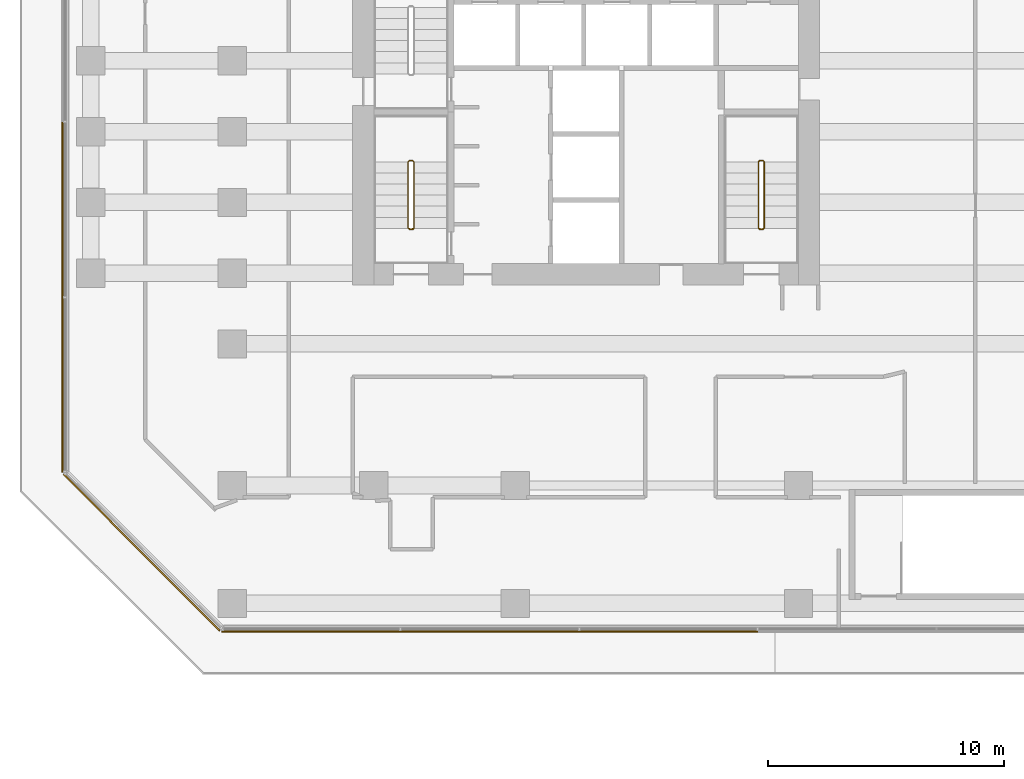
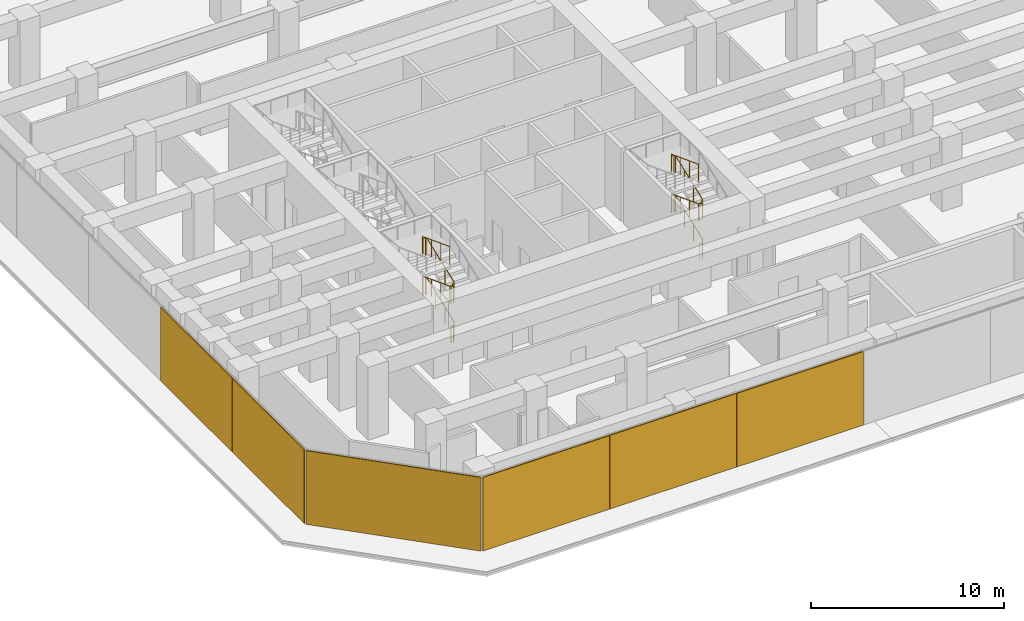
# One storey, part 35 of 40: 6 coverings, 2 railings.
"""IFC4 building model written with IfcOpenShell, lengths in metres."""

from ifc_helpers import new_model, si_unit, direction, frame, origin, origin_2d, place, context, subcontext, project, spatial, rectangle, circle, extrude, material, layer, layer_set, type_object, element, save


model = new_model("IFC4")

# Units and contexts
model_context = context("Model", 3, precision=1e-05, world=origin(), true_north=direction((0.0, 1.0)))
body_context = subcontext(model_context, "Body", "Model", "MODEL_VIEW")
ifc_project = project(units=[si_unit("LENGTHUNIT", "METRE"), si_unit("AREAUNIT", "SQUARE_METRE"), si_unit("VOLUMEUNIT", "CUBIC_METRE"), si_unit("PLANEANGLEUNIT", "RADIAN"), si_unit("MASSUNIT", "GRAM", prefix="KILO")], contexts=[model_context])

# Site, building, storey
site_placement = place(None, origin())
site = spatial("IfcSite", under=ifc_project, at=site_placement, CompositionType="ELEMENT")
building_placement = place(site_placement, origin())
building = spatial("IfcBuilding", under=site, at=building_placement, Name="Welwitschia Terrace Campus", CompositionType="ELEMENT")
storey_placement = place(building_placement, frame((0.0, 0.0, 6.0)))
storey = spatial("IfcBuildingStorey", under=building, at=storey_placement, Name="L01", CompositionType="ELEMENT", Elevation=6.0)

# Coverings
ifc_material_1 = material(Name="Bronze mesh aluminium screen", Category="aluminium")
ifc_layer = layer(ifc_material_1, 0.06005859375)
ifc_layer_set = layer_set([ifc_layer], Name="Bronze mesh aluminium screen")
covering_type = type_object("IfcCoveringType", Name="Bronze screen 60", PredefinedType="USERDEFINED", material=ifc_layer_set)
for number, where, z_axis, x_axis, name in (
    (1, (3.337890625, -10.18994140625, 0.0), (0.0, 0.0, 1.0), (1.0, 0.0, 0.0), "Screen L01.0.0"),
    (2, (10.912841796875, -10.18994140625, 0.0), (0.0, 0.0, 1.0), (1.0, 0.0, 0.0), "Screen L01.0.1"),
    (3, (18.48779296875, -10.18994140625, 0.0), (0.0, 0.0, 1.0), (1.0, 0.0, 0.0), "Screen L01.0.2"),
):
    element("IfcCovering", number, at=place(storey_placement, frame(where, z_axis=z_axis, x_axis=x_axis)), inside=storey, type_object=covering_type, Name=name, ObjectType="SCREEN", PredefinedType="USERDEFINED", context=body_context, shape_type="SweptSolid", body=[
        extrude(rectangle(XDim=7.554931640625, YDim=0.06005859375, at=origin_2d()), origin(), (0.0, 0.0, 1.0), 4.64990234375),
    ])
for number, where, z_axis, x_axis, name in (
    (4, (-7.18994140625, 7.700439453125, 0.0), (0.0, 0.0, 1.0), (0.0, -1.0, 0.0), "Screen L01.6.7"),
    (5, (-7.18994140625, 0.26708984375, 0.0), (0.0, 0.0, 1.0), (0.0, -1.0, 0.0), "Screen L01.6.8"),
):
    element("IfcCovering", number, at=place(storey_placement, frame(where, z_axis=z_axis, x_axis=x_axis)), inside=storey, type_object=covering_type, Name=name, ObjectType="SCREEN", PredefinedType="USERDEFINED", context=body_context, shape_type="SweptSolid", body=[
        extrude(rectangle(XDim=7.4130859375, YDim=0.06005859375, at=origin_2d()), origin(), (0.0, 0.0, 1.0), 4.64990234375),
    ])
covering_placement = place(storey_placement, frame((-3.841552734375, -6.841552734375, 0.0), z_axis=(0.0, 0.0, 1.0), x_axis=(0.707106781187, -0.707106781187, 0.0)))
element("IfcCovering", 6, at=covering_placement, inside=storey, type_object=covering_type, Name="Screen L01.7.0", ObjectType="SCREEN", PredefinedType="USERDEFINED", context=body_context, shape_type="SweptSolid", body=[
    extrude(rectangle(XDim=9.364013671875, YDim=0.06005859375, at=origin_2d()), origin(), (0.0, 0.0, 1.0), 4.64990234375),
])

# Railings
ifc_material_2 = material(Name="Steel S355", Category="steel")
railing_type = type_object("IfcRailingType", Name="Stair guard 1100", PredefinedType="GUARDRAIL", material=ifc_material_2)
railing_1_placement = place(storey_placement, frame((7.5, 6.85009765625, 0.0)))
element("IfcRailing", 7, at=railing_1_placement, inside=storey, type_object=railing_type, Name="L01 S1 stair guard", PredefinedType="GUARDRAIL", context=body_context, shape_type="SweptSolid", body=[
    extrude(circle(Radius=0.02392578125, at=origin_2d()), frame((0.0, 0.0, 1.076171875), z_axis=(1.0, 0.0, 0.0), x_axis=(0.0, 1.0, 0.0)), (0.0, 0.0, 1.0), 0.14990234375),
    extrude(circle(Radius=0.02392578125, at=origin_2d()), frame((0.14990234375, 0.0, 1.076171875), z_axis=(0.26077077684, 0.25949872427, 0.929870428634), x_axis=(-0.705375805398, 0.708833529934, 0.0)), (0.0, 0.0, 1.0), 0.19189453125),
    extrude(circle(Radius=0.02392578125, at=origin_2d()), frame((0.199951171875, 0.0498046875, 1.25439453125), z_axis=(0.0, 0.934793791609, 0.355190888354), x_axis=(-1.0, 0.0, 0.0)), (0.0, 0.0, 1.0), 3.016845703125),
    extrude(circle(Radius=0.02392578125, at=origin_2d()), frame((0.199951171875, 2.869873046875, 2.326171875), z_axis=(-0.707106781187, 0.707106781187, 0.0), x_axis=(-0.707106781187, -0.707106781187, 0.0)), (0.0, 0.0, 1.0), 0.07080078125),
    extrude(circle(Radius=0.02392578125, at=origin_2d()), frame((0.14990234375, 2.919921875, 2.326171875), z_axis=(-1.0, 0.0, 0.0), x_axis=(0.0, -1.0, 0.0)), (0.0, 0.0, 1.0), 0.14990234375),
    extrude(circle(Radius=0.02392578125, at=origin_2d()), frame((0.0, 2.919921875, 2.326171875), z_axis=(-0.260684529273, -0.260684529273, 0.929562882432), x_axis=(0.707106781187, -0.707106781187, 0.0)), (0.0, 0.0, 1.0), 0.19189453125),
    extrude(circle(Radius=0.02392578125, at=origin_2d()), frame((-0.050048828125, 2.869873046875, 2.50439453125), z_axis=(0.0, -0.934793791609, 0.355190888354), x_axis=(1.0, 0.0, 0.0)), (0.0, 0.0, 1.0), 3.016845703125),
    extrude(circle(Radius=0.02392578125, at=origin_2d()), frame((-0.050048828125, 0.0498046875, 3.576171875), z_axis=(0.970351222016, -0.241699205484, 0.0), x_axis=(0.241699205484, 0.970351222016, 0.0)), (0.0, 0.0, 1.0), 0.2060546875),
    extrude(circle(Radius=0.02392578125, at=origin_2d()), frame((0.14990234375, 0.0, 3.576171875), z_axis=(-1.0, 0.0, 0.0), x_axis=(0.0, -1.0, 0.0)), (0.0, 0.0, 1.0), 0.14990234375),
    extrude(circle(Radius=0.02392578125, at=origin_2d()), frame((0.0, 0.0, 3.576171875), z_axis=(0.733493557026, 0.18270169186, 0.654681062498), x_axis=(-0.241699205484, 0.970351222016, 0.0)), (0.0, 0.0, 1.0), 0.272705078125),
    extrude(circle(Radius=0.02392578125, at=origin_2d()), frame((0.199951171875, 0.0498046875, 3.75439453125), z_axis=(0.0, 0.934793791609, 0.355190888354), x_axis=(-1.0, 0.0, 0.0)), (0.0, 0.0, 1.0), 3.016845703125),
    extrude(circle(Radius=0.02392578125, at=origin_2d()), frame((0.199951171875, 2.869873046875, 4.826171875), z_axis=(-0.707106781187, 0.707106781187, 0.0), x_axis=(-0.707106781187, -0.707106781187, 0.0)), (0.0, 0.0, 1.0), 0.07080078125),
    extrude(circle(Radius=0.02392578125, at=origin_2d()), frame((0.14990234375, 2.919921875, 4.826171875), z_axis=(-1.0, 0.0, 0.0), x_axis=(0.0, -1.0, 0.0)), (0.0, 0.0, 1.0), 0.14990234375),
    extrude(circle(Radius=0.02392578125, at=origin_2d()), frame((0.0, 2.919921875, 4.826171875), z_axis=(-0.260684529273, -0.260684529273, 0.929562882432), x_axis=(0.707106781187, -0.707106781187, 0.0)), (0.0, 0.0, 1.0), 0.19189453125),
    extrude(circle(Radius=0.02392578125, at=origin_2d()), frame((-0.050048828125, 2.869873046875, 5.00439453125), z_axis=(0.0, -0.934793791609, 0.355190888354), x_axis=(1.0, 0.0, 0.0)), (0.0, 0.0, 1.0), 3.016845703125),
    extrude(circle(Radius=0.02099609375, at=origin_2d()), origin(), (0.0, 0.0, 1.0), 1.052001953125),
    extrude(circle(Radius=0.02099609375, at=origin_2d()), frame((0.14990234375, 0.0, 0.0)), (0.0, 0.0, 1.0), 1.052001953125),
    extrude(circle(Radius=0.02099609375, at=origin_2d()), frame((0.199951171875, 0.0498046875, 0.178466796875)), (0.0, 0.0, 1.0), 1.052001953125),
    extrude(circle(Radius=0.02099609375, at=origin_2d()), frame((0.199951171875, 0.98974609375, 0.53564453125)), (0.0, 0.0, 1.0), 1.052001953125),
    extrude(circle(Radius=0.02099609375, at=origin_2d()), frame((0.199951171875, 1.929931640625, 0.892822265625)), (0.0, 0.0, 1.0), 1.052001953125),
    extrude(circle(Radius=0.02099609375, at=origin_2d()), frame((0.199951171875, 2.869873046875, 1.25)), (0.0, 0.0, 1.0), 1.052001953125),
    extrude(circle(Radius=0.02099609375, at=origin_2d()), frame((0.14990234375, 2.919921875, 1.25)), (0.0, 0.0, 1.0), 1.052001953125),
    extrude(circle(Radius=0.02099609375, at=origin_2d()), frame((0.0, 2.919921875, 1.25)), (0.0, 0.0, 1.0), 1.052001953125),
    extrude(circle(Radius=0.02099609375, at=origin_2d()), frame((-0.050048828125, 2.869873046875, 1.428466796875)), (0.0, 0.0, 1.0), 1.052001953125),
    extrude(circle(Radius=0.02099609375, at=origin_2d()), frame((-0.050048828125, 1.929931640625, 1.78564453125)), (0.0, 0.0, 1.0), 1.052001953125),
    extrude(circle(Radius=0.02099609375, at=origin_2d()), frame((-0.050048828125, 0.98974609375, 2.142822265625)), (0.0, 0.0, 1.0), 1.052001953125),
    extrude(circle(Radius=0.02099609375, at=origin_2d()), frame((-0.050048828125, 0.0498046875, 2.5)), (0.0, 0.0, 1.0), 1.052001953125),
    extrude(circle(Radius=0.02099609375, at=origin_2d()), frame((0.14990234375, 0.0, 2.5)), (0.0, 0.0, 1.0), 1.052001953125),
    extrude(circle(Radius=0.02099609375, at=origin_2d()), frame((0.0, 0.0, 2.5)), (0.0, 0.0, 1.0), 1.052001953125),
    extrude(circle(Radius=0.02099609375, at=origin_2d()), frame((0.199951171875, 0.0498046875, 2.678466796875)), (0.0, 0.0, 1.0), 1.052001953125),
    extrude(circle(Radius=0.02099609375, at=origin_2d()), frame((0.199951171875, 0.98974609375, 3.03564453125)), (0.0, 0.0, 1.0), 1.052001953125),
    extrude(circle(Radius=0.02099609375, at=origin_2d()), frame((0.199951171875, 1.929931640625, 3.392822265625)), (0.0, 0.0, 1.0), 1.052001953125),
    extrude(circle(Radius=0.02099609375, at=origin_2d()), frame((0.199951171875, 2.869873046875, 3.75)), (0.0, 0.0, 1.0), 1.052001953125),
    extrude(circle(Radius=0.02099609375, at=origin_2d()), frame((0.14990234375, 2.919921875, 3.75)), (0.0, 0.0, 1.0), 1.052001953125),
    extrude(circle(Radius=0.02099609375, at=origin_2d()), frame((0.0, 2.919921875, 3.75)), (0.0, 0.0, 1.0), 1.052001953125),
    extrude(circle(Radius=0.02099609375, at=origin_2d()), frame((-0.050048828125, 2.869873046875, 3.928466796875)), (0.0, 0.0, 1.0), 1.052001953125),
    extrude(circle(Radius=0.02099609375, at=origin_2d()), frame((-0.050048828125, 1.929931640625, 4.28564453125)), (0.0, 0.0, 1.0), 1.052001953125),
    extrude(circle(Radius=0.02099609375, at=origin_2d()), frame((-0.050048828125, 0.98974609375, 4.642822265625)), (0.0, 0.0, 1.0), 1.052001953125),
    extrude(circle(Radius=0.02099609375, at=origin_2d()), frame((-0.050048828125, 0.0498046875, 5.0)), (0.0, 0.0, 1.0), 1.052001953125),
])
railing_2_placement = place(storey_placement, frame((22.35009765625, 6.85009765625, 0.0)))
element("IfcRailing", 8, at=railing_2_placement, inside=storey, type_object=railing_type, Name="L01 S2 stair guard", PredefinedType="GUARDRAIL", context=body_context, shape_type="SweptSolid", body=[
    extrude(circle(Radius=0.02392578125, at=origin_2d()), frame((0.0, 0.0, 1.076171875), z_axis=(1.0, 0.0, 0.0), x_axis=(0.0, 1.0, 0.0)), (0.0, 0.0, 1.0), 0.14990234375),
    extrude(circle(Radius=0.02392578125, at=origin_2d()), frame((0.14990234375, 0.0, 1.076171875), z_axis=(0.26077077684, 0.25949872427, 0.929870428634), x_axis=(-0.705375805398, 0.708833529934, 0.0)), (0.0, 0.0, 1.0), 0.19189453125),
    extrude(circle(Radius=0.02392578125, at=origin_2d()), frame((0.199951171875, 0.0498046875, 1.25439453125), z_axis=(0.0, 0.934793791609, 0.355190888354), x_axis=(-1.0, 0.0, 0.0)), (0.0, 0.0, 1.0), 3.016845703125),
    extrude(circle(Radius=0.02392578125, at=origin_2d()), frame((0.199951171875, 2.869873046875, 2.326171875), z_axis=(-0.707106781187, 0.707106781187, 0.0), x_axis=(-0.707106781187, -0.707106781187, 0.0)), (0.0, 0.0, 1.0), 0.07080078125),
    extrude(circle(Radius=0.02392578125, at=origin_2d()), frame((0.14990234375, 2.919921875, 2.326171875), z_axis=(-1.0, 0.0, 0.0), x_axis=(0.0, -1.0, 0.0)), (0.0, 0.0, 1.0), 0.14990234375),
    extrude(circle(Radius=0.02392578125, at=origin_2d()), frame((0.0, 2.919921875, 2.326171875), z_axis=(-0.260684529273, -0.260684529273, 0.929562882432), x_axis=(0.707106781187, -0.707106781187, 0.0)), (0.0, 0.0, 1.0), 0.19189453125),
    extrude(circle(Radius=0.02392578125, at=origin_2d()), frame((-0.050048828125, 2.869873046875, 2.50439453125), z_axis=(0.0, -0.934793791609, 0.355190888354), x_axis=(1.0, 0.0, 0.0)), (0.0, 0.0, 1.0), 3.016845703125),
    extrude(circle(Radius=0.02392578125, at=origin_2d()), frame((-0.050048828125, 0.0498046875, 3.576171875), z_axis=(0.970351222016, -0.241699205484, 0.0), x_axis=(0.241699205484, 0.970351222016, 0.0)), (0.0, 0.0, 1.0), 0.2060546875),
    extrude(circle(Radius=0.02392578125, at=origin_2d()), frame((0.14990234375, 0.0, 3.576171875), z_axis=(-1.0, 0.0, 0.0), x_axis=(0.0, -1.0, 0.0)), (0.0, 0.0, 1.0), 0.14990234375),
    extrude(circle(Radius=0.02392578125, at=origin_2d()), frame((0.0, 0.0, 3.576171875), z_axis=(0.733493557026, 0.18270169186, 0.654681062498), x_axis=(-0.241699205484, 0.970351222016, 0.0)), (0.0, 0.0, 1.0), 0.272705078125),
    extrude(circle(Radius=0.02392578125, at=origin_2d()), frame((0.199951171875, 0.0498046875, 3.75439453125), z_axis=(0.0, 0.934793791609, 0.355190888354), x_axis=(-1.0, 0.0, 0.0)), (0.0, 0.0, 1.0), 3.016845703125),
    extrude(circle(Radius=0.02392578125, at=origin_2d()), frame((0.199951171875, 2.869873046875, 4.826171875), z_axis=(-0.707106781187, 0.707106781187, 0.0), x_axis=(-0.707106781187, -0.707106781187, 0.0)), (0.0, 0.0, 1.0), 0.07080078125),
    extrude(circle(Radius=0.02392578125, at=origin_2d()), frame((0.14990234375, 2.919921875, 4.826171875), z_axis=(-1.0, 0.0, 0.0), x_axis=(0.0, -1.0, 0.0)), (0.0, 0.0, 1.0), 0.14990234375),
    extrude(circle(Radius=0.02392578125, at=origin_2d()), frame((0.0, 2.919921875, 4.826171875), z_axis=(-0.260684529273, -0.260684529273, 0.929562882432), x_axis=(0.707106781187, -0.707106781187, 0.0)), (0.0, 0.0, 1.0), 0.19189453125),
    extrude(circle(Radius=0.02392578125, at=origin_2d()), frame((-0.050048828125, 2.869873046875, 5.00439453125), z_axis=(0.0, -0.934793791609, 0.355190888354), x_axis=(1.0, 0.0, 0.0)), (0.0, 0.0, 1.0), 3.016845703125),
    extrude(circle(Radius=0.02099609375, at=origin_2d()), origin(), (0.0, 0.0, 1.0), 1.052001953125),
    extrude(circle(Radius=0.02099609375, at=origin_2d()), frame((0.14990234375, 0.0, 0.0)), (0.0, 0.0, 1.0), 1.052001953125),
    extrude(circle(Radius=0.02099609375, at=origin_2d()), frame((0.199951171875, 0.0498046875, 0.178466796875)), (0.0, 0.0, 1.0), 1.052001953125),
    extrude(circle(Radius=0.02099609375, at=origin_2d()), frame((0.199951171875, 0.98974609375, 0.53564453125)), (0.0, 0.0, 1.0), 1.052001953125),
    extrude(circle(Radius=0.02099609375, at=origin_2d()), frame((0.199951171875, 1.929931640625, 0.892822265625)), (0.0, 0.0, 1.0), 1.052001953125),
    extrude(circle(Radius=0.02099609375, at=origin_2d()), frame((0.199951171875, 2.869873046875, 1.25)), (0.0, 0.0, 1.0), 1.052001953125),
    extrude(circle(Radius=0.02099609375, at=origin_2d()), frame((0.14990234375, 2.919921875, 1.25)), (0.0, 0.0, 1.0), 1.052001953125),
    extrude(circle(Radius=0.02099609375, at=origin_2d()), frame((0.0, 2.919921875, 1.25)), (0.0, 0.0, 1.0), 1.052001953125),
    extrude(circle(Radius=0.02099609375, at=origin_2d()), frame((-0.050048828125, 2.869873046875, 1.428466796875)), (0.0, 0.0, 1.0), 1.052001953125),
    extrude(circle(Radius=0.02099609375, at=origin_2d()), frame((-0.050048828125, 1.929931640625, 1.78564453125)), (0.0, 0.0, 1.0), 1.052001953125),
    extrude(circle(Radius=0.02099609375, at=origin_2d()), frame((-0.050048828125, 0.98974609375, 2.142822265625)), (0.0, 0.0, 1.0), 1.052001953125),
    extrude(circle(Radius=0.02099609375, at=origin_2d()), frame((-0.050048828125, 0.0498046875, 2.5)), (0.0, 0.0, 1.0), 1.052001953125),
    extrude(circle(Radius=0.02099609375, at=origin_2d()), frame((0.14990234375, 0.0, 2.5)), (0.0, 0.0, 1.0), 1.052001953125),
    extrude(circle(Radius=0.02099609375, at=origin_2d()), frame((0.0, 0.0, 2.5)), (0.0, 0.0, 1.0), 1.052001953125),
    extrude(circle(Radius=0.02099609375, at=origin_2d()), frame((0.199951171875, 0.0498046875, 2.678466796875)), (0.0, 0.0, 1.0), 1.052001953125),
    extrude(circle(Radius=0.02099609375, at=origin_2d()), frame((0.199951171875, 0.98974609375, 3.03564453125)), (0.0, 0.0, 1.0), 1.052001953125),
    extrude(circle(Radius=0.02099609375, at=origin_2d()), frame((0.199951171875, 1.929931640625, 3.392822265625)), (0.0, 0.0, 1.0), 1.052001953125),
    extrude(circle(Radius=0.02099609375, at=origin_2d()), frame((0.199951171875, 2.869873046875, 3.75)), (0.0, 0.0, 1.0), 1.052001953125),
    extrude(circle(Radius=0.02099609375, at=origin_2d()), frame((0.14990234375, 2.919921875, 3.75)), (0.0, 0.0, 1.0), 1.052001953125),
    extrude(circle(Radius=0.02099609375, at=origin_2d()), frame((0.0, 2.919921875, 3.75)), (0.0, 0.0, 1.0), 1.052001953125),
    extrude(circle(Radius=0.02099609375, at=origin_2d()), frame((-0.050048828125, 2.869873046875, 3.928466796875)), (0.0, 0.0, 1.0), 1.052001953125),
    extrude(circle(Radius=0.02099609375, at=origin_2d()), frame((-0.050048828125, 1.929931640625, 4.28564453125)), (0.0, 0.0, 1.0), 1.052001953125),
    extrude(circle(Radius=0.02099609375, at=origin_2d()), frame((-0.050048828125, 0.98974609375, 4.642822265625)), (0.0, 0.0, 1.0), 1.052001953125),
    extrude(circle(Radius=0.02099609375, at=origin_2d()), frame((-0.050048828125, 0.0498046875, 5.0)), (0.0, 0.0, 1.0), 1.052001953125),
])

save(model, "model.ifc")
